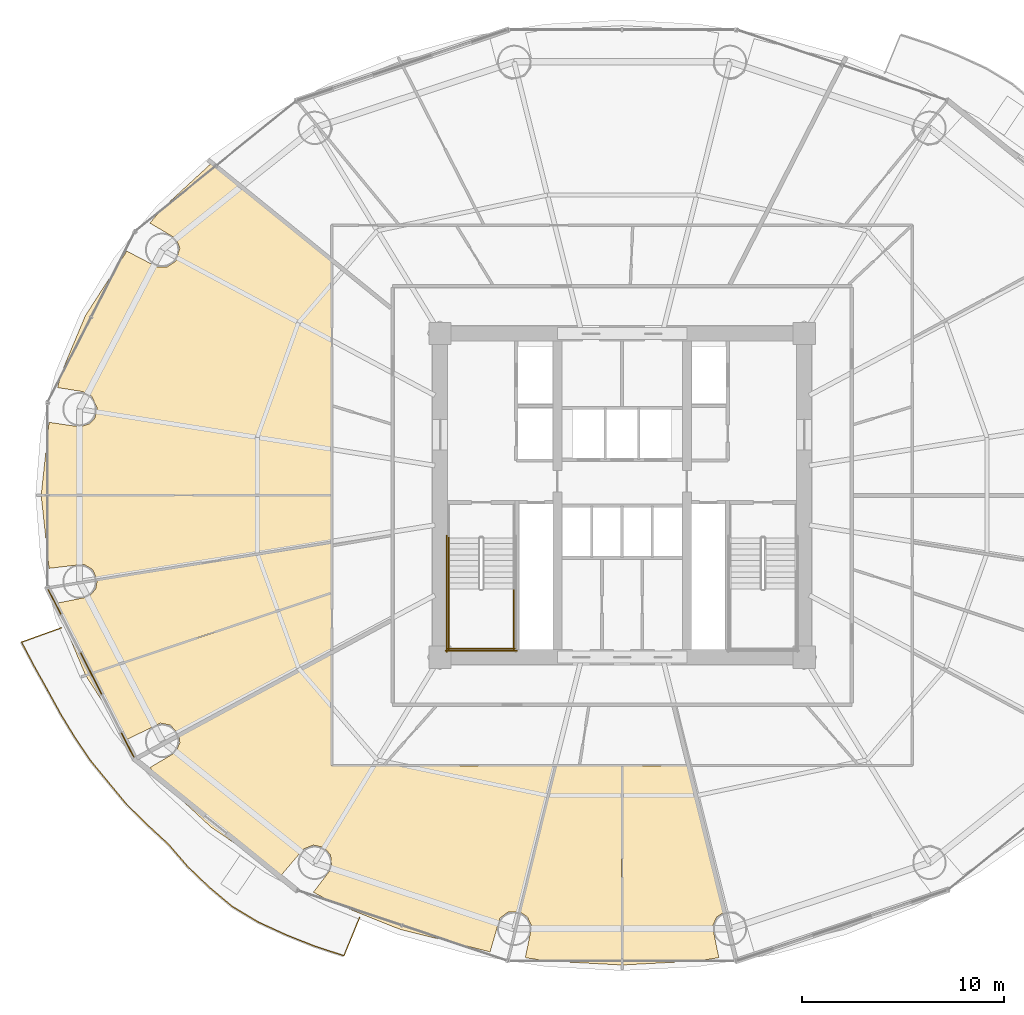
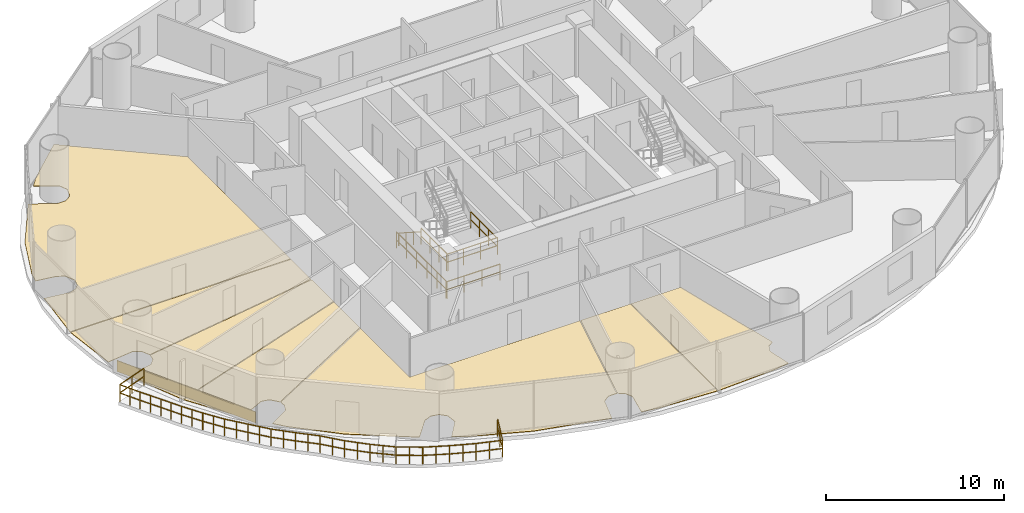
# One storey, part 26 of 29: 8 coverings, 7 railings.
"""IFC4 building model written with IfcOpenShell, lengths in metres."""

from ifc_helpers import new_model, si_unit, direction, frame, origin, origin_2d, place, context, subcontext, project, spatial, polyline, rectangle, outline, extrude, source, transform, mapped, material, layer, layer_set, type_object, element, save


model = new_model("IFC4")

# Units and contexts
model_context = context("Model", 3, precision=1e-05, world=origin(), true_north=direction((-0.2419218956, 0.970295726276)))
body_context = subcontext(model_context, "Body", "Model", "MODEL_VIEW")
ifc_project = project(units=[si_unit("LENGTHUNIT", "METRE"), si_unit("AREAUNIT", "SQUARE_METRE"), si_unit("VOLUMEUNIT", "CUBIC_METRE"), si_unit("PLANEANGLEUNIT", "RADIAN"), si_unit("MASSUNIT", "GRAM", prefix="KILO")], contexts=[model_context])

# Site, building, storey
site_placement = place(None, origin())
site = spatial("IfcSite", under=ifc_project, at=site_placement, CompositionType="ELEMENT")
building_placement = place(site_placement, origin())
building = spatial("IfcBuilding", under=site, at=building_placement, Name="Cobrevalo Terracotta Tower", CompositionType="ELEMENT")
storey_placement = place(building_placement, frame((0.0, 0.0, 67.199951171875)))
storey = spatial("IfcBuildingStorey", under=building, at=storey_placement, Name="L17", CompositionType="ELEMENT", Elevation=67.199951171875)

# Railing
ifc_material_1 = material(Name="Laminated structural glass and stainless steel", Category="steel")
railing_type_1 = type_object("IfcRailingType", Name="Balcony lobe structural glass & terracotta-cap balustrade 1180 mm", PredefinedType="BALUSTRADE", material=ifc_material_1)
railing_1_placement = place(storey_placement, frame((10.2802734375, 20.25048828125, 0.0)))
element("IfcRailing", 1, at=railing_1_placement, inside=storey, type_object=railing_type_1, Name="L17 spiralling balcony lobe balustrade 2", PredefinedType="BALUSTRADE", context=body_context, shape_type="SweptSolid", body=[
    extrude(rectangle(XDim=0.048095703125, YDim=0.048095703125, at=origin_2d()), frame((0.0, 0.0, 1.15576171875), z_axis=(-0.941003344294, -0.338397260667, 0.0), x_axis=(0.338397260667, -0.941003344294, 0.0)), (0.0, 0.0, 1.0), 2.093017578125),
    extrude(rectangle(XDim=0.048095703125, YDim=0.048095703125, at=origin_2d()), frame((0.0, 0.0, 0.58984375), z_axis=(-0.941003344294, -0.338397260667, 0.0), x_axis=(0.338397260667, -0.941003344294, 0.0)), (0.0, 0.0, 1.0), 2.093017578125),
    extrude(rectangle(XDim=0.048095703125, YDim=0.048095703125, at=origin_2d()), frame((-1.969482421875, -0.708251953125, 1.15576171875), z_axis=(0.464408799965, -0.885620949682, 0.0), x_axis=(0.885620949682, 0.464408799965, 0.0)), (0.0, 0.0, 1.0), 1.362060546875),
    extrude(rectangle(XDim=0.048095703125, YDim=0.048095703125, at=origin_2d()), frame((-1.969482421875, -0.708251953125, 0.58984375), z_axis=(0.464408799965, -0.885620949682, 0.0), x_axis=(0.885620949682, 0.464408799965, 0.0)), (0.0, 0.0, 1.0), 1.362060546875),
    extrude(rectangle(XDim=0.048095703125, YDim=0.048095703125, at=origin_2d()), frame((-1.3369140625, -1.91455078125, 1.15576171875), z_axis=(0.488255773184, -0.872700578637, 0.0), x_axis=(0.872700578637, 0.488255773184, 0.0)), (0.0, 0.0, 1.0), 1.34765625),
    extrude(rectangle(XDim=0.048095703125, YDim=0.048095703125, at=origin_2d()), frame((-1.3369140625, -1.91455078125, 0.58984375), z_axis=(0.488255773184, -0.872700578637, 0.0), x_axis=(0.872700578637, 0.488255773184, 0.0)), (0.0, 0.0, 1.0), 1.34765625),
    extrude(rectangle(XDim=0.048095703125, YDim=0.048095703125, at=origin_2d()), frame((-0.678955078125, -3.090576171875, 1.15576171875), z_axis=(0.480245668047, -0.87713402529, 0.0), x_axis=(0.87713402529, 0.480245668047, 0.0)), (0.0, 0.0, 1.0), 1.36181640625),
    extrude(rectangle(XDim=0.048095703125, YDim=0.048095703125, at=origin_2d()), frame((-0.678955078125, -3.090576171875, 0.58984375), z_axis=(0.480245668047, -0.87713402529, 0.0), x_axis=(0.87713402529, 0.480245668047, 0.0)), (0.0, 0.0, 1.0), 1.36181640625),
    extrude(rectangle(XDim=0.048095703125, YDim=0.048095703125, at=origin_2d()), frame((-0.02490234375, -4.28515625, 1.15576171875), z_axis=(0.520553410225, -0.853829108841, 0.0), x_axis=(0.853829108841, 0.520553410225, 0.0)), (0.0, 0.0, 1.0), 1.3662109375),
    extrude(rectangle(XDim=0.048095703125, YDim=0.048095703125, at=origin_2d()), frame((-0.02490234375, -4.28515625, 0.58984375), z_axis=(0.520553410225, -0.853829108841, 0.0), x_axis=(0.853829108841, 0.520553410225, 0.0)), (0.0, 0.0, 1.0), 1.3662109375),
    extrude(rectangle(XDim=0.048095703125, YDim=0.048095703125, at=origin_2d()), frame((0.686279296875, -5.45166015625, 1.15576171875), z_axis=(0.560639618323, -0.828059912305, 0.0), x_axis=(0.828059912305, 0.560639618323, 0.0)), (0.0, 0.0, 1.0), 1.3720703125),
    extrude(rectangle(XDim=0.048095703125, YDim=0.048095703125, at=origin_2d()), frame((0.686279296875, -5.45166015625, 0.58984375), z_axis=(0.560639618323, -0.828059912305, 0.0), x_axis=(0.828059912305, 0.560639618323, 0.0)), (0.0, 0.0, 1.0), 1.3720703125),
    extrude(rectangle(XDim=0.048095703125, YDim=0.048095703125, at=origin_2d()), frame((1.45556640625, -6.587890625, 1.15576171875), z_axis=(0.635198172723, -0.772349196523, 0.0), x_axis=(0.772349196523, 0.635198172723, 0.0)), (0.0, 0.0, 1.0), 1.3955078125),
    extrude(rectangle(XDim=0.048095703125, YDim=0.048095703125, at=origin_2d()), frame((1.45556640625, -6.587890625, 0.58984375), z_axis=(0.635198172723, -0.772349196523, 0.0), x_axis=(0.772349196523, 0.635198172723, 0.0)), (0.0, 0.0, 1.0), 1.3955078125),
    extrude(rectangle(XDim=0.048095703125, YDim=0.048095703125, at=origin_2d()), frame((2.342041015625, -7.665771484375, 1.15576171875), z_axis=(0.638148464298, -0.769913331171, 0.0), x_axis=(0.769913331171, 0.638148464298, 0.0)), (0.0, 0.0, 1.0), 1.393310546875),
    extrude(rectangle(XDim=0.048095703125, YDim=0.048095703125, at=origin_2d()), frame((2.342041015625, -7.665771484375, 0.58984375), z_axis=(0.638148464298, -0.769913331171, 0.0), x_axis=(0.769913331171, 0.638148464298, 0.0)), (0.0, 0.0, 1.0), 1.393310546875),
    extrude(rectangle(XDim=0.048095703125, YDim=0.048095703125, at=origin_2d()), frame((3.231201171875, -8.738525390625, 1.15576171875), z_axis=(0.712769539056, -0.701398306381, 0.0), x_axis=(0.701398306381, 0.712769539056, 0.0)), (0.0, 0.0, 1.0), 1.4169921875),
    extrude(rectangle(XDim=0.048095703125, YDim=0.048095703125, at=origin_2d()), frame((3.231201171875, -8.738525390625, 0.58984375), z_axis=(0.712769539056, -0.701398306381, 0.0), x_axis=(0.701398306381, 0.712769539056, 0.0)), (0.0, 0.0, 1.0), 1.4169921875),
    extrude(rectangle(XDim=0.048095703125, YDim=0.048095703125, at=origin_2d()), frame((4.2412109375, -9.732421875, 1.15576171875), z_axis=(0.734724628691, -0.678365476712, 0.0), x_axis=(0.678365476712, 0.734724628691, 0.0)), (0.0, 0.0, 1.0), 1.42529296875),
    extrude(rectangle(XDim=0.048095703125, YDim=0.048095703125, at=origin_2d()), frame((4.2412109375, -9.732421875, 0.58984375), z_axis=(0.734724628691, -0.678365476712, 0.0), x_axis=(0.678365476712, 0.734724628691, 0.0)), (0.0, 0.0, 1.0), 1.42529296875),
    extrude(rectangle(XDim=0.048095703125, YDim=0.048095703125, at=origin_2d()), frame((5.288330078125, -10.69921875, 1.15576171875), z_axis=(0.653650485806, -0.756796566064, 0.0), x_axis=(0.756796566064, 0.653650485806, 0.0)), (0.0, 0.0, 1.0), 1.453369140625),
    extrude(rectangle(XDim=0.048095703125, YDim=0.048095703125, at=origin_2d()), frame((5.288330078125, -10.69921875, 0.58984375), z_axis=(0.653650485806, -0.756796566064, 0.0), x_axis=(0.756796566064, 0.653650485806, 0.0)), (0.0, 0.0, 1.0), 1.453369140625),
    extrude(rectangle(XDim=0.048095703125, YDim=0.048095703125, at=origin_2d()), frame((6.23828125, -11.799072265625, 1.15576171875), z_axis=(0.721604376069, -0.692305658245, 0.0), x_axis=(0.692305658245, 0.721604376069, 0.0)), (0.0, 0.0, 1.0), 1.483154296875),
    extrude(rectangle(XDim=0.048095703125, YDim=0.048095703125, at=origin_2d()), frame((6.23828125, -11.799072265625, 0.58984375), z_axis=(0.721604376069, -0.692305658245, 0.0), x_axis=(0.692305658245, 0.721604376069, 0.0)), (0.0, 0.0, 1.0), 1.483154296875),
    extrude(rectangle(XDim=0.048095703125, YDim=0.048095703125, at=origin_2d()), frame((7.30859375, -12.825927734375, 1.15576171875), z_axis=(0.76691370709, -0.641750236368, 0.0), x_axis=(0.641750236368, 0.76691370709, 0.0)), (0.0, 0.0, 1.0), 1.486328125),
    extrude(rectangle(XDim=0.048095703125, YDim=0.048095703125, at=origin_2d()), frame((7.30859375, -12.825927734375, 0.58984375), z_axis=(0.76691370709, -0.641750236368, 0.0), x_axis=(0.641750236368, 0.76691370709, 0.0)), (0.0, 0.0, 1.0), 1.486328125),
    extrude(rectangle(XDim=0.048095703125, YDim=0.048095703125, at=origin_2d()), frame((8.448486328125, -13.77978515625, 1.15576171875), z_axis=(0.857751271482, -0.514064933905, 0.0), x_axis=(0.514064933905, 0.857751271482, 0.0)), (0.0, 0.0, 1.0), 1.500244140625),
    extrude(rectangle(XDim=0.048095703125, YDim=0.048095703125, at=origin_2d()), frame((8.448486328125, -13.77978515625, 0.58984375), z_axis=(0.857751271482, -0.514064933905, 0.0), x_axis=(0.514064933905, 0.857751271482, 0.0)), (0.0, 0.0, 1.0), 1.500244140625),
    extrude(rectangle(XDim=0.048095703125, YDim=0.048095703125, at=origin_2d()), frame((9.7353515625, -14.551025390625, 1.15576171875), z_axis=(0.909552861259, -0.415588248841, 0.0), x_axis=(0.415588248841, 0.909552861259, 0.0)), (0.0, 0.0, 1.0), 1.513916015625),
    extrude(rectangle(XDim=0.048095703125, YDim=0.048095703125, at=origin_2d()), frame((9.7353515625, -14.551025390625, 0.58984375), z_axis=(0.909552861259, -0.415588248841, 0.0), x_axis=(0.415588248841, 0.909552861259, 0.0)), (0.0, 0.0, 1.0), 1.513916015625),
    extrude(rectangle(XDim=0.048095703125, YDim=0.048095703125, at=origin_2d()), frame((11.1123046875, -15.18017578125, 1.15576171875), z_axis=(0.928955935367, -0.370190316115, 0.0), x_axis=(0.370190316115, 0.928955935367, 0.0)), (0.0, 0.0, 1.0), 1.50830078125),
    extrude(rectangle(XDim=0.048095703125, YDim=0.048095703125, at=origin_2d()), frame((11.1123046875, -15.18017578125, 0.58984375), z_axis=(0.928955935367, -0.370190316115, 0.0), x_axis=(0.370190316115, 0.928955935367, 0.0)), (0.0, 0.0, 1.0), 1.50830078125),
    extrude(rectangle(XDim=0.048095703125, YDim=0.048095703125, at=origin_2d()), frame((12.513427734375, -15.738525390625, 1.15576171875), z_axis=(0.951048130217, -0.309042802877, 0.0), x_axis=(0.309042802877, 0.951048130217, 0.0)), (0.0, 0.0, 1.0), 1.531005859375),
    extrude(rectangle(XDim=0.048095703125, YDim=0.048095703125, at=origin_2d()), frame((12.513427734375, -15.738525390625, 0.58984375), z_axis=(0.951048130217, -0.309042802877, 0.0), x_axis=(0.309042802877, 0.951048130217, 0.0)), (0.0, 0.0, 1.0), 1.531005859375),
    extrude(rectangle(XDim=0.048095703125, YDim=0.048095703125, at=origin_2d()), frame((13.969482421875, -16.211669921875, 1.15576171875), z_axis=(0.378470385872, 0.925613400409, 0.0), x_axis=(-0.925613400409, 0.378470385873, 0.0)), (0.0, 0.0, 1.0), 2.048095703125),
    extrude(rectangle(XDim=0.048095703125, YDim=0.048095703125, at=origin_2d()), frame((13.969482421875, -16.211669921875, 0.58984375), z_axis=(0.378470385872, 0.925613400409, 0.0), x_axis=(-0.925613400409, 0.378470385873, 0.0)), (0.0, 0.0, 1.0), 2.048095703125),
    extrude(rectangle(XDim=0.0419921875, YDim=0.0419921875, at=origin_2d()), origin(), (0.0, 0.0, 1.0), 1.1318359375),
    extrude(rectangle(XDim=0.0419921875, YDim=0.0419921875, at=origin_2d()), frame((-0.98486328125, -0.35400390625, 0.0)), (0.0, 0.0, 1.0), 1.1318359375),
    extrude(rectangle(XDim=0.0419921875, YDim=0.0419921875, at=origin_2d()), frame((-1.969482421875, -0.708251953125, 0.0)), (0.0, 0.0, 1.0), 1.1318359375),
    extrude(rectangle(XDim=0.0419921875, YDim=0.0419921875, at=origin_2d()), frame((-1.6533203125, -1.3115234375, 0.0)), (0.0, 0.0, 1.0), 1.1318359375),
    extrude(rectangle(XDim=0.0419921875, YDim=0.0419921875, at=origin_2d()), frame((-1.3369140625, -1.91455078125, 0.0)), (0.0, 0.0, 1.0), 1.1318359375),
    extrude(rectangle(XDim=0.0419921875, YDim=0.0419921875, at=origin_2d()), frame((-1.0078125, -2.50244140625, 0.0)), (0.0, 0.0, 1.0), 1.1318359375),
    extrude(rectangle(XDim=0.0419921875, YDim=0.0419921875, at=origin_2d()), frame((-0.678955078125, -3.090576171875, 0.0)), (0.0, 0.0, 1.0), 1.1318359375),
    extrude(rectangle(XDim=0.0419921875, YDim=0.0419921875, at=origin_2d()), frame((-0.35205078125, -3.68798828125, 0.0)), (0.0, 0.0, 1.0), 1.1318359375),
    extrude(rectangle(XDim=0.0419921875, YDim=0.0419921875, at=origin_2d()), frame((-0.02490234375, -4.28515625, 0.0)), (0.0, 0.0, 1.0), 1.1318359375),
    extrude(rectangle(XDim=0.0419921875, YDim=0.0419921875, at=origin_2d()), frame((0.33056640625, -4.868408203125, 0.0)), (0.0, 0.0, 1.0), 1.1318359375),
    extrude(rectangle(XDim=0.0419921875, YDim=0.0419921875, at=origin_2d()), frame((0.686279296875, -5.45166015625, 0.0)), (0.0, 0.0, 1.0), 1.1318359375),
    extrude(rectangle(XDim=0.0419921875, YDim=0.0419921875, at=origin_2d()), frame((1.07080078125, -6.019775390625, 0.0)), (0.0, 0.0, 1.0), 1.1318359375),
    extrude(rectangle(XDim=0.0419921875, YDim=0.0419921875, at=origin_2d()), frame((1.45556640625, -6.587890625, 0.0)), (0.0, 0.0, 1.0), 1.1318359375),
    extrude(rectangle(XDim=0.0419921875, YDim=0.0419921875, at=origin_2d()), frame((1.89892578125, -7.126953125, 0.0)), (0.0, 0.0, 1.0), 1.1318359375),
    extrude(rectangle(XDim=0.0419921875, YDim=0.0419921875, at=origin_2d()), frame((2.342041015625, -7.665771484375, 0.0)), (0.0, 0.0, 1.0), 1.1318359375),
    extrude(rectangle(XDim=0.0419921875, YDim=0.0419921875, at=origin_2d()), frame((2.78662109375, -8.2021484375, 0.0)), (0.0, 0.0, 1.0), 1.1318359375),
    extrude(rectangle(XDim=0.0419921875, YDim=0.0419921875, at=origin_2d()), frame((3.231201171875, -8.738525390625, 0.0)), (0.0, 0.0, 1.0), 1.1318359375),
    extrude(rectangle(XDim=0.0419921875, YDim=0.0419921875, at=origin_2d()), frame((3.736328125, -9.2353515625, 0.0)), (0.0, 0.0, 1.0), 1.1318359375),
    extrude(rectangle(XDim=0.0419921875, YDim=0.0419921875, at=origin_2d()), frame((4.2412109375, -9.732421875, 0.0)), (0.0, 0.0, 1.0), 1.1318359375),
    extrude(rectangle(XDim=0.0419921875, YDim=0.0419921875, at=origin_2d()), frame((4.7646484375, -10.2158203125, 0.0)), (0.0, 0.0, 1.0), 1.1318359375),
    extrude(rectangle(XDim=0.0419921875, YDim=0.0419921875, at=origin_2d()), frame((5.288330078125, -10.69921875, 0.0)), (0.0, 0.0, 1.0), 1.1318359375),
    extrude(rectangle(XDim=0.0419921875, YDim=0.0419921875, at=origin_2d()), frame((5.76318359375, -11.2490234375, 0.0)), (0.0, 0.0, 1.0), 1.1318359375),
    extrude(rectangle(XDim=0.0419921875, YDim=0.0419921875, at=origin_2d()), frame((6.23828125, -11.799072265625, 0.0)), (0.0, 0.0, 1.0), 1.1318359375),
    extrude(rectangle(XDim=0.0419921875, YDim=0.0419921875, at=origin_2d()), frame((6.7734375, -12.3125, 0.0)), (0.0, 0.0, 1.0), 1.1318359375),
    extrude(rectangle(XDim=0.0419921875, YDim=0.0419921875, at=origin_2d()), frame((7.30859375, -12.825927734375, 0.0)), (0.0, 0.0, 1.0), 1.1318359375),
    extrude(rectangle(XDim=0.0419921875, YDim=0.0419921875, at=origin_2d()), frame((7.87841796875, -13.302734375, 0.0)), (0.0, 0.0, 1.0), 1.1318359375),
    extrude(rectangle(XDim=0.0419921875, YDim=0.0419921875, at=origin_2d()), frame((8.448486328125, -13.77978515625, 0.0)), (0.0, 0.0, 1.0), 1.1318359375),
    extrude(rectangle(XDim=0.0419921875, YDim=0.0419921875, at=origin_2d()), frame((9.091796875, -14.16552734375, 0.0)), (0.0, 0.0, 1.0), 1.1318359375),
    extrude(rectangle(XDim=0.0419921875, YDim=0.0419921875, at=origin_2d()), frame((9.7353515625, -14.551025390625, 0.0)), (0.0, 0.0, 1.0), 1.1318359375),
    extrude(rectangle(XDim=0.0419921875, YDim=0.0419921875, at=origin_2d()), frame((10.423828125, -14.86572265625, 0.0)), (0.0, 0.0, 1.0), 1.1318359375),
    extrude(rectangle(XDim=0.0419921875, YDim=0.0419921875, at=origin_2d()), frame((11.1123046875, -15.18017578125, 0.0)), (0.0, 0.0, 1.0), 1.1318359375),
    extrude(rectangle(XDim=0.0419921875, YDim=0.0419921875, at=origin_2d()), frame((11.81298828125, -15.45947265625, 0.0)), (0.0, 0.0, 1.0), 1.1318359375),
    extrude(rectangle(XDim=0.0419921875, YDim=0.0419921875, at=origin_2d()), frame((12.513427734375, -15.738525390625, 0.0)), (0.0, 0.0, 1.0), 1.1318359375),
    extrude(rectangle(XDim=0.0419921875, YDim=0.0419921875, at=origin_2d()), frame((13.241455078125, -15.97509765625, 0.0)), (0.0, 0.0, 1.0), 1.1318359375),
    extrude(rectangle(XDim=0.0419921875, YDim=0.0419921875, at=origin_2d()), frame((13.969482421875, -16.211669921875, 0.0)), (0.0, 0.0, 1.0), 1.1318359375),
    extrude(rectangle(XDim=0.0419921875, YDim=0.0419921875, at=origin_2d()), frame((14.35693359375, -15.263671875, 0.0)), (0.0, 0.0, 1.0), 1.1318359375),
    extrude(rectangle(XDim=0.0419921875, YDim=0.0419921875, at=origin_2d()), frame((14.74462890625, -14.31591796875, 0.0)), (0.0, 0.0, 1.0), 1.1318359375),
])

# Coverings
ifc_material_2 = material(Name="Engineered Brazilian hardwood flooring", Category="wood")
ifc_layer_1 = layer(ifc_material_2, 0.028076171875)
ifc_layer_set_1 = layer_set([ifc_layer_1], Name="Engineered Brazilian hardwood flooring")
covering_type_1 = type_object("IfcCoveringType", Name="Engineered Hardwood Suite Flooring 28", PredefinedType="FLOORING", material=ifc_layer_set_1)
covering_1_placement = place(storey_placement, origin())
element("IfcCovering", 2, at=covering_1_placement, inside=storey, type_object=covering_type_1, Name="Flat L17C Penthouse Living and Dining Room floor finish", PredefinedType="FLOORING", context=body_context, shape_type="SweptSolid", body=[
    extrude(outline(polyline([(9.668701171875, 30.4111328125), (11.209716796875, 30.183349609375), (11.6923828125, 30.350341796875), (11.92578125, 30.6025390625), (12.054931640625, 31.096923828125), (11.773193359375, 31.708740234375), (11.314697265625, 31.931640625), (10.090576171875, 32.126220703125), (10.25830078125, 32.80859375), (11.465576171875, 35.684326171875), (13.511962890625, 38.87451171875), (15.00439453125, 38.096923828125), (15.51513671875, 38.09716796875), (15.93994140625, 38.38134765625), (16.135009765625, 39.02587890625), (15.939208984375, 39.497802734375), (14.65576171875, 40.2587890625), (15.213623046875, 40.933837890625), (17.701416015625, 43.222900390625), (23.625, 38.4228515625), (23.625, 26.820068359375), (9.28173828125, 26.820068359375), (9.668701171875, 30.4111328125)])), origin(), (0.0, 0.0, 1.0), 0.030029296875),
])
covering_2_placement = place(storey_placement, origin())
element("IfcCovering", 3, at=covering_2_placement, inside=storey, type_object=covering_type_1, Name="Flat L17C Master Bedroom floor finish", PredefinedType="FLOORING", context=body_context, shape_type="SweptSolid", body=[
    extrude(outline(polyline([(9.28173828125, 26.780029296875), (23.625, 26.780029296875), (23.625, 24.503173828125), (12.047119140625, 22.636962890625), (11.821533203125, 23.135009765625), (11.380615234375, 23.39306640625), (9.668701171875, 23.18896484375), (9.28173828125, 26.780029296875)])), origin(), (0.0, 0.0, 1.0), 0.030029296875),
])
covering_3_placement = place(storey_placement, origin())
element("IfcCovering", 4, at=covering_3_placement, inside=storey, type_object=covering_type_1, Name="Flat L17C Penthouse Family Lounge floor finish", PredefinedType="FLOORING", context=body_context, shape_type="SweptSolid", body=[
    extrude(outline(polyline([(10.090576171875, 21.473876953125), (11.6357421875, 21.787109375), (11.974853515625, 22.169189453125), (12.04931640625, 22.596923828125), (23.625, 24.462646484375), (23.625, 21.99609375), (11.468505859375, 17.91552734375), (10.25830078125, 20.791259765625), (10.090576171875, 21.473876953125)])), origin(), (0.0, 0.0, 1.0), 0.030029296875),
])
covering_4_placement = place(storey_placement, origin())
element("IfcCovering", 5, at=covering_4_placement, inside=storey, type_object=covering_type_1, Name="Flat L17C Penthouse Family Lounge floor finish", PredefinedType="FLOORING", context=body_context, shape_type="SweptSolid", body=[
    extrude(outline(polyline([(16.084716796875, 14.95654296875), (15.674560546875, 15.436767578125), (15.173583984375, 15.53662109375), (13.511962890625, 14.7255859375), (11.4873046875, 17.8798828125), (23.625, 21.953857421875), (23.625, 19.039306640625), (16.084716796875, 14.95654296875)])), origin(), (0.0, 0.0, 1.0), 0.030029296875),
])
covering_5_placement = place(storey_placement, origin())
element("IfcCovering", 6, at=covering_5_placement, inside=storey, type_object=covering_type_1, Name="Flat L17D Penthouse Living and Dining Room floor finish", PredefinedType="FLOORING", context=body_context, shape_type="SweptSolid", body=[
    extrude(outline(polyline([(27.008056640625, 5.34814453125), (23.638427734375, 6.691650390625), (22.73681640625, 7.178955078125), (23.64501953125, 8.369140625), (23.585205078125, 9.0400390625), (23.227294921875, 9.40478515625), (22.72705078125, 9.509033203125), (22.253173828125, 9.31787109375), (21.156494140625, 8.03271484375), (17.6904296875, 10.38232421875), (15.213623046875, 12.666259765625), (14.65576171875, 13.341064453125), (15.939208984375, 14.10205078125), (16.135009765625, 14.573974609375), (16.09765625, 14.91796875), (23.625, 18.993896484375), (23.625, 13.425048828125), (34.6962890625, 13.425048828125), (32.924560546875, 6.20703125), (32.36669921875, 6.197998046875), (31.95654296875, 5.89306640625), (31.472412109375, 4.2255859375), (27.008056640625, 5.34814453125)])), origin(), (0.0, 0.0, 1.0), 0.030029296875),
])
covering_6_placement = place(storey_placement, origin())
element("IfcCovering", 7, at=covering_6_placement, inside=storey, type_object=covering_type_1, Name="Flat L17D Master Bedroom floor finish", PredefinedType="FLOORING", context=body_context, shape_type="SweptSolid", body=[
    extrude(outline(polyline([(33.21630859375, 3.945068359375), (33.53466796875, 5.500244140625), (33.3154296875, 5.9619140625), (32.96240234375, 6.193359375), (34.737548828125, 13.425048828125), (37.97998046875, 13.425048828125), (37.97998046875, 3.5810546875), (34.250732421875, 3.77880859375), (33.21630859375, 3.945068359375)])), origin(), (0.0, 0.0, 1.0), 0.030029296875),
])
covering_7_placement = place(storey_placement, origin())
element("IfcCovering", 8, at=covering_7_placement, inside=storey, type_object=covering_type_1, Name="Flat L17D Penthouse Family Lounge floor finish", PredefinedType="FLOORING", context=body_context, shape_type="SweptSolid", body=[
    extrude(outline(polyline([(38.02001953125, 13.425048828125), (41.262451171875, 13.425048828125), (43.03759765625, 6.193359375), (42.6845703125, 5.9619140625), (42.46533203125, 5.500244140625), (42.78369140625, 3.945068359375), (41.749267578125, 3.77880859375), (38.02001953125, 3.5810546875), (38.02001953125, 13.425048828125)])), origin(), (0.0, 0.0, 1.0), 0.030029296875),
])

# Railings
ifc_material_3 = material(Name="Brushed stainless steel", Category="steel")
railing_type_2 = type_object("IfcRailingType", Name="Stainless Steel Stair Handrail 900", PredefinedType="HANDRAIL", material=ifc_material_3)
railing_2_placement = place(storey_placement, frame((29.425048828125, 24.699951171875, 0.179931640625)))
element("IfcRailing", 9, at=railing_2_placement, inside=storey, type_object=railing_type_2, Name="L17 ST-1 stair handrail 1", PredefinedType="HANDRAIL", context=body_context, shape_type="SweptSolid", body=[
    extrude(rectangle(XDim=0.048095703125, YDim=0.048095703125, at=origin_2d()), frame((0.0, 0.0, 0.8759765625), z_axis=(0.0, -0.841162588446, 0.540782303519), x_axis=(1.0, 0.0, 0.0)), (0.0, 0.0, 1.0), 2.995849609375),
    extrude(rectangle(XDim=0.0419921875, YDim=0.0419921875, at=origin_2d()), origin(), (0.0, 0.0, 1.0), 0.851806640625),
    extrude(rectangle(XDim=0.0419921875, YDim=0.0419921875, at=origin_2d()), frame((0.0, -0.840087890625, 0.5400390625)), (0.0, 0.0, 1.0), 0.851806640625),
    extrude(rectangle(XDim=0.0419921875, YDim=0.0419921875, at=origin_2d()), frame((0.0, -1.679931640625, 1.080078125)), (0.0, 0.0, 1.0), 0.851806640625),
    extrude(rectangle(XDim=0.0419921875, YDim=0.0419921875, at=origin_2d()), frame((0.0, -2.52001953125, 1.6201171875)), (0.0, 0.0, 1.0), 0.851806640625),
])
ifc_material_4 = material(Name="Painted galvanized steel", Category="steel")
railing_type_3 = type_object("IfcRailingType", Name="Stair Well Guard Balustrade 1150", PredefinedType="GUARDRAIL", material=ifc_material_4)
for number, where, name in (
    (10, (29.425048828125, 22.179931640625, 1.800048828125), "L17 ST-1 stair guard 3"),
    (11, (32.64501953125, 22.179931640625, 1.800048828125), "L17 ST-1 stair guard 4"),
):
    element("IfcRailing", number, at=place(storey_placement, frame(where)), inside=storey, type_object=railing_type_3, Name=name, PredefinedType="GUARDRAIL", context=body_context, shape_type="SweptSolid", body=[
        extrude(rectangle(XDim=0.048095703125, YDim=0.048095703125, at=origin_2d()), frame((0.0, 0.0, 1.1259765625), z_axis=(0.0, -1.0, 0.0), x_axis=(1.0, 0.0, 0.0)), (0.0, 0.0, 1.0), 3.0048828125),
        extrude(rectangle(XDim=0.048095703125, YDim=0.048095703125, at=origin_2d()), frame((0.0, 0.0, 0.574951171875), z_axis=(0.0, -1.0, 0.0), x_axis=(1.0, 0.0, 0.0)), (0.0, 0.0, 1.0), 3.0048828125),
        extrude(rectangle(XDim=0.0419921875, YDim=0.0419921875, at=origin_2d()), origin(), (0.0, 0.0, 1.0), 1.101806640625),
        extrude(rectangle(XDim=0.0419921875, YDim=0.0419921875, at=origin_2d()), frame((0.0, -1.001708984375, 0.0)), (0.0, 0.0, 1.0), 1.101806640625),
        extrude(rectangle(XDim=0.0419921875, YDim=0.0419921875, at=origin_2d()), frame((0.0, -2.003173828125, 0.0)), (0.0, 0.0, 1.0), 1.101806640625),
        extrude(rectangle(XDim=0.0419921875, YDim=0.0419921875, at=origin_2d()), frame((0.0, -3.0048828125, 0.0)), (0.0, 0.0, 1.0), 1.101806640625),
    ])
railing_3_placement = place(storey_placement, frame((29.375, 19.22509765625, 1.800048828125)))
element("IfcRailing", 12, at=railing_3_placement, inside=storey, type_object=railing_type_3, Name="L17 ST-1 stair guard 5", PredefinedType="GUARDRAIL", context=body_context, shape_type="SweptSolid", body=[
    extrude(rectangle(XDim=0.048095703125, YDim=0.048095703125, at=origin_2d()), frame((0.0, 0.0, 1.1259765625), z_axis=(1.0, 0.0, 0.0), x_axis=(0.0, 1.0, 0.0)), (0.0, 0.0, 1.0), 3.320068359375),
    extrude(rectangle(XDim=0.048095703125, YDim=0.048095703125, at=origin_2d()), frame((0.0, 0.0, 0.574951171875), z_axis=(1.0, 0.0, 0.0), x_axis=(0.0, 1.0, 0.0)), (0.0, 0.0, 1.0), 3.320068359375),
    extrude(rectangle(XDim=0.0419921875, YDim=0.0419921875, at=origin_2d()), origin(), (0.0, 0.0, 1.0), 1.101806640625),
    extrude(rectangle(XDim=0.0419921875, YDim=0.0419921875, at=origin_2d()), frame((1.106689453125, 0.0, 0.0)), (0.0, 0.0, 1.0), 1.101806640625),
    extrude(rectangle(XDim=0.0419921875, YDim=0.0419921875, at=origin_2d()), frame((2.21337890625, 0.0, 0.0)), (0.0, 0.0, 1.0), 1.101806640625),
    extrude(rectangle(XDim=0.0419921875, YDim=0.0419921875, at=origin_2d()), frame((3.320068359375, 0.0, 0.0)), (0.0, 0.0, 1.0), 1.101806640625),
])
railing_4_placement = place(storey_placement, frame((29.324951171875, 24.800048828125, 0.0)))
element("IfcRailing", 13, at=railing_4_placement, inside=storey, type_object=railing_type_3, Name="L17 ST-1 stair guard 10", PredefinedType="GUARDRAIL", context=body_context, shape_type="SweptSolid", body=[
    extrude(rectangle(XDim=0.048095703125, YDim=0.048095703125, at=origin_2d()), frame((0.0, 0.0, 1.1259765625), z_axis=(0.0, -1.0, 0.0), x_axis=(1.0, 0.0, 0.0)), (0.0, 0.0, 1.0), 5.72509765625),
    extrude(rectangle(XDim=0.048095703125, YDim=0.048095703125, at=origin_2d()), frame((0.0, 0.0, 0.574951171875), z_axis=(0.0, -1.0, 0.0), x_axis=(1.0, 0.0, 0.0)), (0.0, 0.0, 1.0), 5.72509765625),
    extrude(rectangle(XDim=0.0419921875, YDim=0.0419921875, at=origin_2d()), origin(), (0.0, 0.0, 1.0), 1.101806640625),
    extrude(rectangle(XDim=0.0419921875, YDim=0.0419921875, at=origin_2d()), frame((0.0, -1.14501953125, 0.0)), (0.0, 0.0, 1.0), 1.101806640625),
    extrude(rectangle(XDim=0.0419921875, YDim=0.0419921875, at=origin_2d()), frame((0.0, -2.2900390625, 0.0)), (0.0, 0.0, 1.0), 1.101806640625),
    extrude(rectangle(XDim=0.0419921875, YDim=0.0419921875, at=origin_2d()), frame((0.0, -3.43505859375, 0.0)), (0.0, 0.0, 1.0), 1.101806640625),
    extrude(rectangle(XDim=0.0419921875, YDim=0.0419921875, at=origin_2d()), frame((0.0, -4.580078125, 0.0)), (0.0, 0.0, 1.0), 1.101806640625),
    extrude(rectangle(XDim=0.0419921875, YDim=0.0419921875, at=origin_2d()), frame((0.0, -5.72509765625, 0.0)), (0.0, 0.0, 1.0), 1.101806640625),
])
railing_5_placement = place(storey_placement, frame((29.27490234375, 19.125, 0.0)))
element("IfcRailing", 14, at=railing_5_placement, inside=storey, type_object=railing_type_3, Name="L17 ST-1 stair guard 12", PredefinedType="GUARDRAIL", context=body_context, shape_type="SweptSolid", body=[
    extrude(rectangle(XDim=0.048095703125, YDim=0.048095703125, at=origin_2d()), frame((0.0, 0.0, 1.1259765625), z_axis=(1.0, 0.0, 0.0), x_axis=(0.0, 1.0, 0.0)), (0.0, 0.0, 1.0), 3.52001953125),
    extrude(rectangle(XDim=0.048095703125, YDim=0.048095703125, at=origin_2d()), frame((0.0, 0.0, 0.574951171875), z_axis=(1.0, 0.0, 0.0), x_axis=(0.0, 1.0, 0.0)), (0.0, 0.0, 1.0), 3.52001953125),
    extrude(rectangle(XDim=0.0419921875, YDim=0.0419921875, at=origin_2d()), origin(), (0.0, 0.0, 1.0), 1.101806640625),
    extrude(rectangle(XDim=0.0419921875, YDim=0.0419921875, at=origin_2d()), frame((1.17333984375, 0.0, 0.0)), (0.0, 0.0, 1.0), 1.101806640625),
    extrude(rectangle(XDim=0.0419921875, YDim=0.0419921875, at=origin_2d()), frame((2.3466796875, 0.0, 0.0)), (0.0, 0.0, 1.0), 1.101806640625),
    extrude(rectangle(XDim=0.0419921875, YDim=0.0419921875, at=origin_2d()), frame((3.52001953125, 0.0, 0.0)), (0.0, 0.0, 1.0), 1.101806640625),
])

# Covering
ifc_material_5 = material(Name="Glazed terracotta facade cladding tile", Category="masonry")
ifc_layer_2 = layer(ifc_material_5, 0.044921875)
ifc_layer_set_2 = layer_set([ifc_layer_2], Name="Glazed terracotta facade cladding tile")
covering_type_2 = type_object("IfcCoveringType", Name="Architectural terracotta rainscreen spandrel cladding 45 mm", PredefinedType="CLADDING", material=ifc_layer_set_2)
shared_shape = source(origin(), body_context, "Body", "SweptSolid", [
    extrude(rectangle(XDim=9.30224609375, YDim=0.044921875, at=origin_2d()), origin(), (0.0, 0.0, 1.0), 0.760009765625),
])
covering_8_placement = place(storey_placement, frame((11.74951171875, 17.990966796875, 0.0400390625), z_axis=(0.0, 0.0, 1.0), x_axis=(0.45523102861, -0.890373354605, 0.0)))
element("IfcCovering", 15, at=covering_8_placement, inside=storey, type_object=covering_type_2, Name="L17 terracotta spandrel cladding S09", PredefinedType="CLADDING", context=body_context, shape_type="MappedRepresentation", body=[
    mapped(shared_shape, transform((0.0, 0.0, 0.0), scale=1.0)),
])

save(model, "model.ifc")
